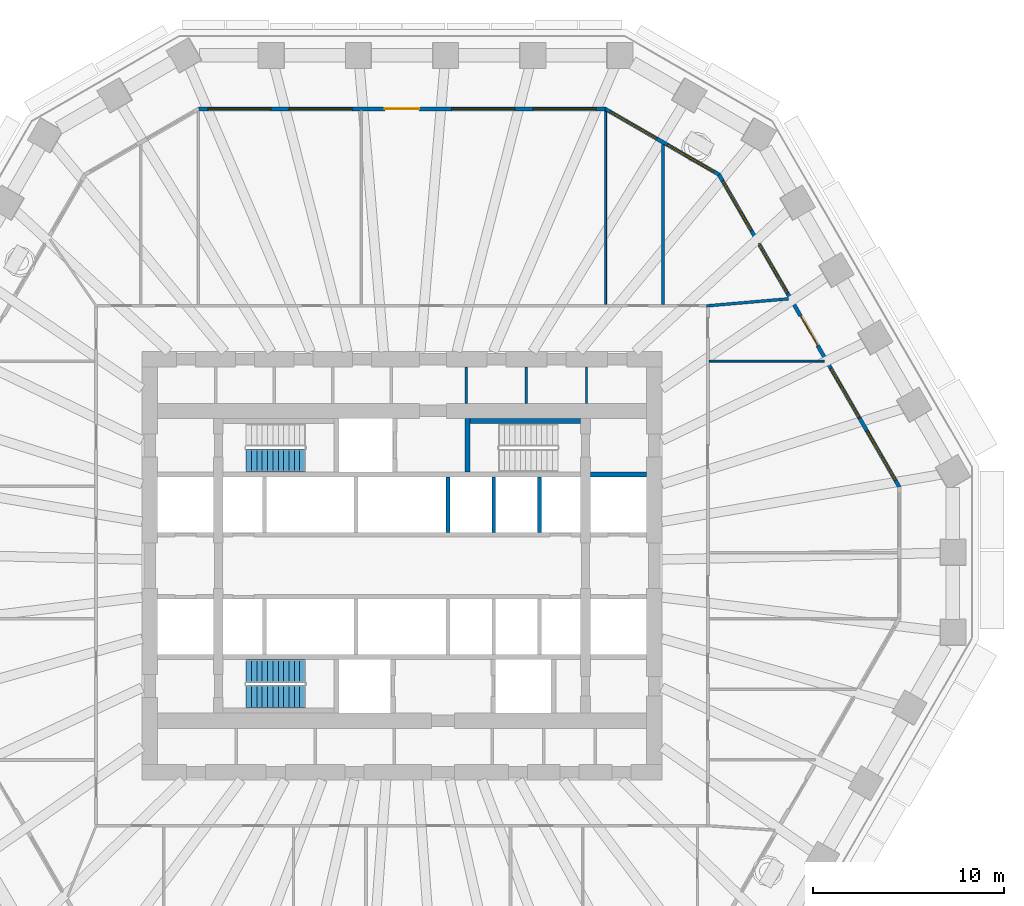
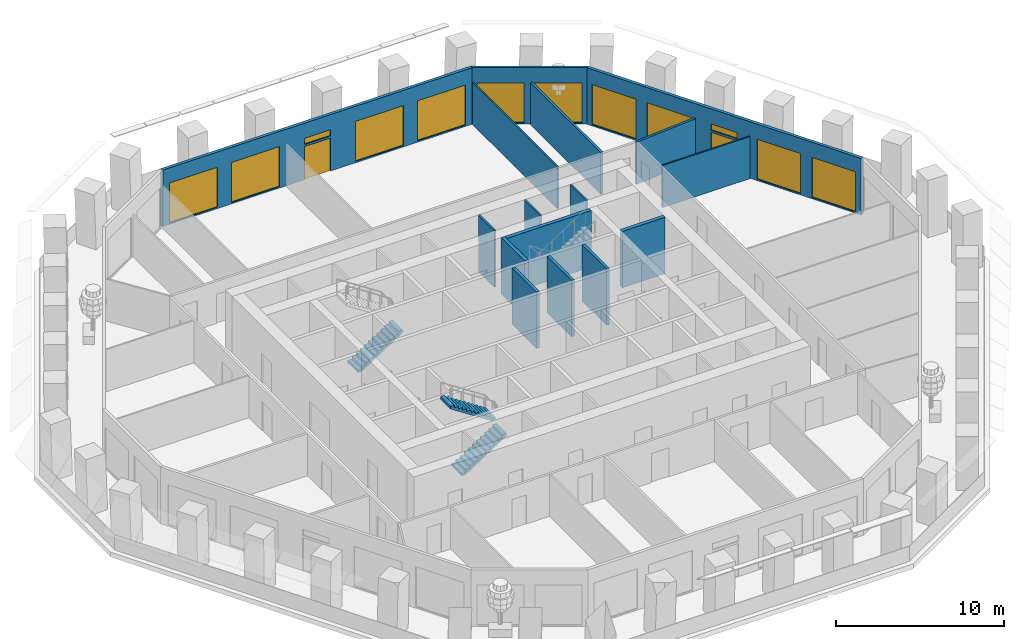
# One storey, part 8 of 13: 16 walls, 12 windows, 3 stair flights, 2 doors, 14 openings, 2 elements without a shape of their own.
"""IFC4 building model written with IfcOpenShell, lengths in metres."""

from ifc_helpers import new_model, si_unit, direction, frame, frame_2d, origin, place, context, subcontext, project, spatial, polyline, rectangle, outline, extrude, material, layer, layer_set, type_object, element, fill, aggregate, save


model = new_model("IFC4")

# Units and contexts
model_context = context("Model", 3, precision=1e-05, world=origin(), true_north=direction((0.0, 1.0)))
body_context = subcontext(model_context, "Body", "Model", "MODEL_VIEW")
ifc_project = project(units=[si_unit("LENGTHUNIT", "METRE"), si_unit("AREAUNIT", "SQUARE_METRE"), si_unit("VOLUMEUNIT", "CUBIC_METRE"), si_unit("PLANEANGLEUNIT", "RADIAN"), si_unit("MASSUNIT", "GRAM", prefix="KILO")], contexts=[model_context])

# Site, building, storey
site_placement = place(None, origin())
site = spatial("IfcSite", under=ifc_project, at=site_placement, CompositionType="ELEMENT")
building_placement = place(site_placement, origin())
building = spatial("IfcBuilding", under=site, at=building_placement, Name="Frailejon Research Tower", CompositionType="ELEMENT")
storey_placement = place(building_placement, frame((0.0, 0.0, 102.800048828125)))
storey = spatial("IfcBuildingStorey", under=building, at=storey_placement, Name="L22", CompositionType="ELEMENT", Elevation=102.800048828125)

# Walls
ifc_material_1 = material(Name="Plasterboard on steel studs", Category="steel")
ifc_layer_1 = layer(ifc_material_1, 0.125)
ifc_layer_set_1 = layer_set([ifc_layer_1], Name="Core partition 125")
wall_type_1 = type_object("IfcWallType", Name="Core partition 125", PredefinedType="PARTITIONING", material=ifc_layer_set_1)
for number, where, z_axis, x_axis, name in (
    (1, (3.362548828125, 8.5, 0.0), (0.0, 0.0, 1.0), (0.0, 1.0, 0.0), "Core partition"),
    (2, (6.50830078125, 8.5, 0.0), (0.0, 0.0, 1.0), (0.0, 1.0, 0.0), "Core partition"),
    (3, (9.654296875, 8.5, 0.0), (0.0, 0.0, 1.0), (0.0, 1.0, 0.0), "Core partition"),
):
    element("IfcWall", number, at=place(storey_placement, frame(where, z_axis=z_axis, x_axis=x_axis)), inside=storey, type_object=wall_type_1, Name=name, PredefinedType="PARTITIONING", context=body_context, shape_type="SweptSolid", body=[
        extrude(rectangle(XDim=1.89990234375, YDim=0.125, at=frame_2d((0.949951171875, 0.0))), origin(), (0.0, 0.0, 1.0), 4.099853515625),
    ])
ifc_material_2 = material(Name="Gypsum board and masonry partition", Category="masonry")
ifc_layer_2 = layer(ifc_material_2, 0.14990234375)
ifc_layer_set_2 = layer_set([ifc_layer_2], Name="Laboratory partition, blockwork 150")
wall_type_2 = type_object("IfcWallType", Name="Laboratory partition, blockwork 150", PredefinedType="PARTITIONING", material=ifc_layer_set_2)
wall_1_placement = place(storey_placement, frame((15.92529296875, 13.593505859375, 0.0), z_axis=(0.0, 0.0, 1.0), x_axis=(0.996283839141, 0.0861307835, 0.0)))
element("IfcWall", 4, at=wall_1_placement, inside=storey, type_object=wall_type_2, Name="T:IW:L22:005", PredefinedType="PARTITIONING", context=body_context, shape_type="SweptSolid", body=[
    extrude(rectangle(XDim=4.30859375, YDim=0.14990234375, at=frame_2d((2.154296875, 0.0))), origin(), (0.0, 0.0, 1.0), 3.050048828125),
])
wall_2_placement = place(storey_placement, frame((13.65478515625, 13.675048828125, 0.0), z_axis=(0.0, 0.0, 1.0), x_axis=(0.0, 1.0, 0.0)))
element("IfcWall", 5, at=wall_2_placement, inside=storey, type_object=wall_type_2, Name="T:IW:L22:006", PredefinedType="PARTITIONING", context=body_context, shape_type="SweptSolid", body=[
    extrude(rectangle(XDim=8.362060546875, YDim=0.14990234375, at=frame_2d((4.18115234375, 0.0))), origin(), (0.0, 0.0, 1.0), 3.050048828125),
])
ifc_material_3 = material(Name="Gypsum board and masonry partition", Category="masonry")
ifc_layer_3 = layer(ifc_material_3, 0.10009765625)
ifc_layer_set_3 = layer_set([ifc_layer_3], Name="Partition, gypsum on steel studs 100")
wall_type_3 = type_object("IfcWallType", Name="Partition, gypsum on steel studs 100", PredefinedType="PARTITIONING", material=ifc_layer_set_3)
wall_3_placement = place(storey_placement, frame((16.074951171875, 10.70751953125, 0.0), z_axis=(0.0, 0.0, 1.0), x_axis=(1.0, 0.0, 0.0)))
element("IfcWall", 6, at=wall_3_placement, inside=storey, type_object=wall_type_3, Name="T:IW:L22:012", PredefinedType="PARTITIONING", context=body_context, shape_type="SweptSolid", body=[
    extrude(rectangle(XDim=6.023193359375, YDim=0.10009765625, at=frame_2d((3.01171875, 0.0))), origin(), (0.0, 0.0, 1.0), 3.050048828125),
])
wall_4_placement = place(storey_placement, frame((10.65478515625, 13.675048828125, 0.0), z_axis=(0.0, 0.0, 1.0), x_axis=(0.0, 1.0, 0.0)))
element("IfcWall", 7, at=wall_4_placement, inside=storey, type_object=wall_type_3, Name="T:IW:L22:014", PredefinedType="PARTITIONING", context=body_context, shape_type="SweptSolid", body=[
    extrude(rectangle(XDim=10.093994140625, YDim=0.10009765625, at=frame_2d((5.046875, 0.0))), origin(), (0.0, 0.0, 1.0), 3.050048828125),
])
ifc_material_4 = material(Name="Concrete C70/85", Category="concrete")
ifc_layer_4 = layer(ifc_material_4, 0.199951171875)
ifc_layer_set_4 = layer_set([ifc_layer_4], Name="Shaft wall 200 C70/85")
wall_type_4 = type_object("IfcWallType", Name="Shaft wall 200 C70/85", PredefinedType="SOLIDWALL", material=ifc_layer_set_4)
for number, where, z_axis, x_axis, name in (
    (8, (2.39990234375, 1.75, 0.0), (0.0, 0.0, 1.0), (0.0, 1.0, 0.0), "Shaft wall"),
    (9, (4.800048828125, 1.75, 0.0), (0.0, 0.0, 1.0), (0.0, 1.0, 0.0), "Shaft wall"),
    (10, (7.199951171875, 1.75, 0.0), (0.0, 0.0, 1.0), (0.0, 1.0, 0.0), "Shaft wall"),
):
    element("IfcWall", number, at=place(storey_placement, frame(where, z_axis=z_axis, x_axis=x_axis)), inside=storey, type_object=wall_type_4, Name=name, PredefinedType="SOLIDWALL", context=body_context, shape_type="SweptSolid", body=[
        extrude(rectangle(XDim=2.89990234375, YDim=0.199951171875, at=frame_2d((1.449951171875, 0.0))), origin(), (0.0, 0.0, 1.0), 4.099853515625),
    ])
ifc_material_5 = material(Name="Concrete C70/85", Category="concrete")
ifc_layer_5 = layer(ifc_material_5, 0.25)
ifc_layer_set_5 = layer_set([ifc_layer_5], Name="Shaft wall 250 C70/85")
wall_type_5 = type_object("IfcWallType", Name="Shaft wall 250 C70/85", PredefinedType="SOLIDWALL", material=ifc_layer_set_5)
wall_5_placement = place(storey_placement, frame((9.85009765625, 4.77490234375, 0.0), z_axis=(0.0, 0.0, 1.0), x_axis=(1.0, 0.0, 0.0)))
element("IfcWall", 11, at=wall_5_placement, inside=storey, type_object=wall_type_5, Name="Shaft wall", PredefinedType="SOLIDWALL", context=body_context, shape_type="SweptSolid", body=[
    extrude(rectangle(XDim=2.949951171875, YDim=0.25, at=frame_2d((1.47509765625, 0.0))), origin(), (0.0, 0.0, 1.0), 4.099853515625),
])
wall_6_placement = place(storey_placement, frame((3.550048828125, 7.574951171875, 0.0), z_axis=(0.0, 0.0, 1.0), x_axis=(1.0, 0.0, 0.0)))
element("IfcWall", 12, at=wall_6_placement, inside=storey, type_object=wall_type_5, Name="Shaft wall", PredefinedType="SOLIDWALL", context=body_context, shape_type="SweptSolid", body=[
    extrude(rectangle(XDim=5.800048828125, YDim=0.25, at=frame_2d((2.89990234375, 0.0))), origin(), (0.0, 0.0, 1.0), 4.099853515625),
])
wall_7_placement = place(storey_placement, frame((3.425048828125, 4.89990234375, 0.0), z_axis=(0.0, 0.0, 1.0), x_axis=(0.0, 1.0, 0.0)))
element("IfcWall", 13, at=wall_7_placement, inside=storey, type_object=wall_type_5, Name="Shaft wall", PredefinedType="SOLIDWALL", context=body_context, shape_type="SweptSolid", body=[
    extrude(rectangle(XDim=2.800048828125, YDim=0.25, at=frame_2d((1.39990234375, 0.0))), origin(), (0.0, 0.0, 1.0), 4.099853515625),
])

# Wall, openings, door, windows
ifc_material_6 = material(Name="Concrete C40/50 precast window wall panel", Category="concrete")
ifc_layer_6 = layer(ifc_material_6, 0.199951171875)
ifc_layer_set_6 = layer_set([ifc_layer_6], Name="Window wall 200")
wall_type_6 = type_object("IfcWallType", Name="Window wall 200", PredefinedType="SOLIDWALL", material=ifc_layer_set_6)
wall_8_placement = place(storey_placement, frame((26.011962890625, 4.128662109375, 0.0), z_axis=(0.0, 0.0, 1.0), x_axis=(-0.499999588275, 0.866025641494, 0.0)))
wall_8 = element("IfcWall", 14, at=wall_8_placement, inside=storey, type_object=wall_type_6, Name="Exterior wall L22", PredefinedType="SOLIDWALL", context=body_context, shape_type="SweptSolid", body=[
    extrude(outline(polyline([(-0.02685546875, -0.10009765625), (1.02392578125, -0.10009765625), (2.07470703125, -0.10009765625), (3.12548828125, -0.10009765625), (4.17626953125, -0.10009765625), (5.227294921875, -0.10009765625), (6.278076171875, -0.10009765625), (7.328857421875, -0.10009765625), (8.379638671875, -0.10009765625), (9.430419921875, -0.10009765625), (10.481201171875, -0.10009765625), (11.531982421875, -0.10009765625), (12.582763671875, -0.10009765625), (13.633544921875, -0.10009765625), (14.6845703125, -0.10009765625), (15.7353515625, -0.10009765625), (16.7861328125, -0.10009765625), (17.8369140625, -0.10009765625), (18.8876953125, -0.10009765625), (18.833984375, 0.10009765625), (17.7890625, 0.10009765625), (16.744384765625, 0.10009765625), (15.699462890625, 0.10009765625), (14.654541015625, 0.10009765625), (13.60986328125, 0.10009765625), (12.56494140625, 0.10009765625), (11.52001953125, 0.10009765625), (10.475341796875, 0.10009765625), (9.430419921875, 0.10009765625), (8.385498046875, 0.10009765625), (7.3408203125, 0.10009765625), (6.2958984375, 0.10009765625), (5.2509765625, 0.10009765625), (4.206298828125, 0.10009765625), (3.161376953125, 0.10009765625), (2.116455078125, 0.10009765625), (1.07177734375, 0.10009765625), (0.02685546875, 0.10009765625), (-0.02685546875, -0.10009765625)])), origin(), (0.0, 0.0, 1.0), 4.099853515625),
])
opening_1_placement = place(wall_8_placement, frame((0.385986328125, 0.0, 0.10009765625)))
opening_1 = element("IfcOpeningElement", 15, at=opening_1_placement, cuts=wall_8, Name="Opening W4", PredefinedType="OPENING", context=body_context, shape_type="SweptSolid", body=[
    extrude(rectangle(XDim=3.0, YDim=2.89990234375, at=frame_2d((1.5, 1.449951171875))), frame((0.0, 0.10986328125, 0.0), z_axis=(0.0, -1.0, 0.0), x_axis=(1.0, 0.0, 0.0)), (0.0, 0.0, 1.0), 0.219970703125),
])
opening_2_placement = place(wall_8_placement, frame((4.158203125, 0.0, 0.10009765625)))
opening_2 = element("IfcOpeningElement", 16, at=opening_2_placement, cuts=wall_8, Name="Opening W4", PredefinedType="OPENING", context=body_context, shape_type="SweptSolid", body=[
    extrude(rectangle(XDim=3.0, YDim=2.89990234375, at=frame_2d((1.5, 1.449951171875))), frame((0.0, 0.10986328125, 0.0), z_axis=(0.0, -1.0, 0.0), x_axis=(1.0, 0.0, 0.0)), (0.0, 0.0, 1.0), 0.219970703125),
])
opening_3_placement = place(wall_8_placement, frame((8.530517578125, 0.0, 0.0)))
opening_3 = element("IfcOpeningElement", 17, at=opening_3_placement, cuts=wall_8, Name="Opening LG22-1", PredefinedType="OPENING", context=body_context, shape_type="SweptSolid", body=[
    extrude(rectangle(XDim=1.800048828125, YDim=2.39990234375, at=frame_2d((0.89990234375, 1.199951171875))), frame((0.0, 0.10986328125, 0.0), z_axis=(0.0, -1.0, 0.0), x_axis=(1.0, 0.0, 0.0)), (0.0, 0.0, 1.0), 0.219970703125),
])
opening_4_placement = place(wall_8_placement, frame((8.530517578125, 0.0, 2.550048828125)))
opening_4 = element("IfcOpeningElement", 18, at=opening_4_placement, cuts=wall_8, Name="Opening W1", PredefinedType="OPENING", context=body_context, shape_type="SweptSolid", body=[
    extrude(rectangle(XDim=1.800048828125, YDim=0.449951171875, at=frame_2d((0.89990234375, 0.22509765625))), frame((0.0, 0.10986328125, 0.0), z_axis=(0.0, -1.0, 0.0), x_axis=(1.0, 0.0, 0.0)), (0.0, 0.0, 1.0), 0.219970703125),
])
opening_5_placement = place(wall_8_placement, frame((11.70263671875, 0.0, 0.10009765625)))
opening_5 = element("IfcOpeningElement", 19, at=opening_5_placement, cuts=wall_8, Name="Opening W4", PredefinedType="OPENING", context=body_context, shape_type="SweptSolid", body=[
    extrude(rectangle(XDim=3.0, YDim=2.89990234375, at=frame_2d((1.5, 1.449951171875))), frame((0.0, 0.10986328125, 0.0), z_axis=(0.0, -1.0, 0.0), x_axis=(1.0, 0.0, 0.0)), (0.0, 0.0, 1.0), 0.219970703125),
])
opening_6_placement = place(wall_8_placement, frame((15.474853515625, 0.0, 0.10009765625)))
opening_6 = element("IfcOpeningElement", 20, at=opening_6_placement, cuts=wall_8, Name="Opening W4", PredefinedType="OPENING", context=body_context, shape_type="SweptSolid", body=[
    extrude(rectangle(XDim=3.0, YDim=2.89990234375, at=frame_2d((1.5, 1.449951171875))), frame((0.0, 0.10986328125, 0.0), z_axis=(0.0, -1.0, 0.0), x_axis=(1.0, 0.0, 0.0)), (0.0, 0.0, 1.0), 0.219970703125),
])
ifc_material_7 = material(Name="Aluminium framed glazed door leaf", Category="aluminium")
door_type = type_object("IfcDoorType", Name="Loggia door 1800x2400", OperationType="DOUBLE_DOOR_SINGLE_SWING", PredefinedType="DOOR", material=ifc_material_7)
door_1_placement = place(opening_3_placement, origin())
door_1 = element("IfcDoor", 21, at=door_1_placement, inside=storey, type_object=door_type, Name="Door LG22-1", OperationType="DOUBLE_DOOR_SINGLE_SWING", OverallHeight=2.39990234375, OverallWidth=1.800048828125, PredefinedType="DOOR", context=body_context, shape_type="SweptSolid", body=[
    extrude(rectangle(XDim=1.800048828125, YDim=2.39990234375, at=frame_2d((0.89990234375, 1.199951171875))), frame((0.0, 0.02490234375, 0.0), z_axis=(0.0, -1.0, 0.0), x_axis=(1.0, 0.0, 0.0)), (0.0, 0.0, 1.0), 0.050048828125),
])
fill(opening_3, door_1)
ifc_material_8 = material(Name="Aluminium framed double glazing", Category="aluminium")
window_type_1 = type_object("IfcWindowType", Name="Window 1800x450", PartitioningType="SINGLE_PANEL", PredefinedType="WINDOW", material=ifc_material_8)
window_1_placement = place(opening_4_placement, origin())
window_1 = element("IfcWindow", 22, at=window_1_placement, inside=storey, type_object=window_type_1, Name="Window L22", OverallHeight=0.449951171875, OverallWidth=1.800048828125, PartitioningType="SINGLE_PANEL", PredefinedType="WINDOW", context=body_context, shape_type="SweptSolid", body=[
    extrude(rectangle(XDim=1.800048828125, YDim=0.449951171875, at=frame_2d((0.89990234375, 0.22509765625))), frame((0.0, 0.030029296875, 0.0), z_axis=(0.0, -1.0, 0.0), x_axis=(1.0, 0.0, 0.0)), (0.0, 0.0, 1.0), 0.06005859375),
])
fill(opening_4, window_1)
ifc_material_9 = material(Name="Aluminium framed double glazing", Category="aluminium")
window_type_2 = type_object("IfcWindowType", Name="Window 3000x2900", PartitioningType="SINGLE_PANEL", PredefinedType="WINDOW", material=ifc_material_9)
window_2_placement = place(opening_1_placement, origin())
window_2 = element("IfcWindow", 23, at=window_2_placement, inside=storey, type_object=window_type_2, Name="Window L22", OverallHeight=2.89990234375, OverallWidth=3.0, PartitioningType="SINGLE_PANEL", PredefinedType="WINDOW", context=body_context, shape_type="SweptSolid", body=[
    extrude(rectangle(XDim=3.0, YDim=2.89990234375, at=frame_2d((1.5, 1.449951171875))), frame((0.0, 0.030029296875, 0.0), z_axis=(0.0, -1.0, 0.0), x_axis=(1.0, 0.0, 0.0)), (0.0, 0.0, 1.0), 0.06005859375),
])
fill(opening_1, window_2)
window_3_placement = place(opening_2_placement, origin())
window_3 = element("IfcWindow", 24, at=window_3_placement, inside=storey, type_object=window_type_2, Name="Window L22", OverallHeight=2.89990234375, OverallWidth=3.0, PartitioningType="SINGLE_PANEL", PredefinedType="WINDOW", context=body_context, shape_type="SweptSolid", body=[
    extrude(rectangle(XDim=3.0, YDim=2.89990234375, at=frame_2d((1.5, 1.449951171875))), frame((0.0, 0.030029296875, 0.0), z_axis=(0.0, -1.0, 0.0), x_axis=(1.0, 0.0, 0.0)), (0.0, 0.0, 1.0), 0.06005859375),
])
fill(opening_2, window_3)
window_4_placement = place(opening_5_placement, origin())
window_4 = element("IfcWindow", 25, at=window_4_placement, inside=storey, type_object=window_type_2, Name="Window L22", OverallHeight=2.89990234375, OverallWidth=3.0, PartitioningType="SINGLE_PANEL", PredefinedType="WINDOW", context=body_context, shape_type="SweptSolid", body=[
    extrude(rectangle(XDim=3.0, YDim=2.89990234375, at=frame_2d((1.5, 1.449951171875))), frame((0.0, 0.030029296875, 0.0), z_axis=(0.0, -1.0, 0.0), x_axis=(1.0, 0.0, 0.0)), (0.0, 0.0, 1.0), 0.06005859375),
])
fill(opening_5, window_4)
window_5_placement = place(opening_6_placement, origin())
window_5 = element("IfcWindow", 26, at=window_5_placement, inside=storey, type_object=window_type_2, Name="Window L22", OverallHeight=2.89990234375, OverallWidth=3.0, PartitioningType="SINGLE_PANEL", PredefinedType="WINDOW", context=body_context, shape_type="SweptSolid", body=[
    extrude(rectangle(XDim=3.0, YDim=2.89990234375, at=frame_2d((1.5, 1.449951171875))), frame((0.0, 0.030029296875, 0.0), z_axis=(0.0, -1.0, 0.0), x_axis=(1.0, 0.0, 0.0)), (0.0, 0.0, 1.0), 0.06005859375),
])
fill(opening_6, window_5)

# Wall, openings, windows
wall_9_placement = place(storey_placement, frame((16.58154296875, 20.462646484375, 0.0), z_axis=(0.0, 0.0, 1.0), x_axis=(-0.866029458321, 0.49999297727, 0.0)))
wall_9 = element("IfcWall", 27, at=wall_9_placement, inside=storey, type_object=wall_type_6, Name="Exterior wall L22", PredefinedType="SOLIDWALL", context=body_context, shape_type="SweptSolid", body=[
    extrude(outline(polyline([(-0.02685546875, -0.10009765625), (1.1279296875, -0.10009765625), (2.282470703125, -0.10009765625), (3.437255859375, -0.10009765625), (4.592041015625, -0.10009765625), (5.74658203125, -0.10009765625), (6.9013671875, -0.10009765625), (6.84765625, 0.10009765625), (5.7109375, 0.10009765625), (4.573974609375, 0.10009765625), (3.437255859375, 0.10009765625), (2.300537109375, 0.10009765625), (1.16357421875, 0.10009765625), (0.02685546875, 0.10009765625), (-0.02685546875, -0.10009765625)])), origin(), (0.0, 0.0, 1.0), 4.099853515625),
])
opening_7_placement = place(wall_9_placement, frame((0.318603515625, 0.0, 0.10009765625)))
opening_7 = element("IfcOpeningElement", 28, at=opening_7_placement, cuts=wall_9, Name="Opening W3", PredefinedType="OPENING", context=body_context, shape_type="SweptSolid", body=[
    extrude(rectangle(XDim=2.800048828125, YDim=2.89990234375, at=frame_2d((1.39990234375, 1.449951171875))), frame((0.0, 0.10986328125, 0.0), z_axis=(0.0, -1.0, 0.0), x_axis=(1.0, 0.0, 0.0)), (0.0, 0.0, 1.0), 0.219970703125),
])
opening_8_placement = place(wall_9_placement, frame((3.756103515625, 0.0, 0.10009765625)))
opening_8 = element("IfcOpeningElement", 29, at=opening_8_placement, cuts=wall_9, Name="Opening W3", PredefinedType="OPENING", context=body_context, shape_type="SweptSolid", body=[
    extrude(rectangle(XDim=2.800048828125, YDim=2.89990234375, at=frame_2d((1.39990234375, 1.449951171875))), frame((0.0, 0.10986328125, 0.0), z_axis=(0.0, -1.0, 0.0), x_axis=(1.0, 0.0, 0.0)), (0.0, 0.0, 1.0), 0.219970703125),
])
ifc_material_10 = material(Name="Aluminium framed double glazing", Category="aluminium")
window_type_3 = type_object("IfcWindowType", Name="Window 2800x2900", PartitioningType="SINGLE_PANEL", PredefinedType="WINDOW", material=ifc_material_10)
window_6_placement = place(opening_7_placement, origin())
window_6 = element("IfcWindow", 30, at=window_6_placement, inside=storey, type_object=window_type_3, Name="Window L22", OverallHeight=2.89990234375, OverallWidth=2.800048828125, PartitioningType="SINGLE_PANEL", PredefinedType="WINDOW", context=body_context, shape_type="SweptSolid", body=[
    extrude(rectangle(XDim=2.800048828125, YDim=2.89990234375, at=frame_2d((1.39990234375, 1.449951171875))), frame((0.0, 0.030029296875, 0.0), z_axis=(0.0, -1.0, 0.0), x_axis=(1.0, 0.0, 0.0)), (0.0, 0.0, 1.0), 0.06005859375),
])
fill(opening_7, window_6)
window_7_placement = place(opening_8_placement, origin())
window_7 = element("IfcWindow", 31, at=window_7_placement, inside=storey, type_object=window_type_3, Name="Window L22", OverallHeight=2.89990234375, OverallWidth=2.800048828125, PartitioningType="SINGLE_PANEL", PredefinedType="WINDOW", context=body_context, shape_type="SweptSolid", body=[
    extrude(rectangle(XDim=2.800048828125, YDim=2.89990234375, at=frame_2d((1.39990234375, 1.449951171875))), frame((0.0, 0.030029296875, 0.0), z_axis=(0.0, -1.0, 0.0), x_axis=(1.0, 0.0, 0.0)), (0.0, 0.0, 1.0), 0.06005859375),
])
fill(opening_8, window_7)

# Wall, openings, door, windows
wall_10_placement = place(storey_placement, frame((10.6279296875, 23.89990234375, 0.0), z_axis=(0.0, 0.0, 1.0), x_axis=(-1.0, 0.0, 0.0)))
wall_10 = element("IfcWall", 32, at=wall_10_placement, inside=storey, type_object=wall_type_6, Name="Exterior wall L22", PredefinedType="SOLIDWALL", context=body_context, shape_type="SweptSolid", body=[
    extrude(outline(polyline([(-0.02685546875, -0.10009765625), (0.98779296875, -0.10009765625), (2.002685546875, -0.10009765625), (3.017333984375, -0.10009765625), (4.0322265625, -0.10009765625), (5.046875, -0.10009765625), (6.0615234375, -0.10009765625), (7.076416015625, -0.10009765625), (8.091064453125, -0.10009765625), (9.105712890625, -0.10009765625), (10.12060546875, -0.10009765625), (11.13525390625, -0.10009765625), (12.150146484375, -0.10009765625), (13.164794921875, -0.10009765625), (14.179443359375, -0.10009765625), (15.1943359375, -0.10009765625), (16.208984375, -0.10009765625), (17.2236328125, -0.10009765625), (18.238525390625, -0.10009765625), (19.253173828125, -0.10009765625), (20.26806640625, -0.10009765625), (21.28271484375, -0.10009765625), (21.22900390625, 0.10009765625), (20.219482421875, 0.10009765625), (19.209716796875, 0.10009765625), (18.2001953125, 0.10009765625), (17.1904296875, 0.10009765625), (16.180908203125, 0.10009765625), (15.171142578125, 0.10009765625), (14.16162109375, 0.10009765625), (13.152099609375, 0.10009765625), (12.142333984375, 0.10009765625), (11.1328125, 0.10009765625), (10.123046875, 0.10009765625), (9.113525390625, 0.10009765625), (8.103759765625, 0.10009765625), (7.09423828125, 0.10009765625), (6.084716796875, 0.10009765625), (5.074951171875, 0.10009765625), (4.0654296875, 0.10009765625), (3.0556640625, 0.10009765625), (2.046142578125, 0.10009765625), (1.036376953125, 0.10009765625), (0.02685546875, 0.10009765625), (-0.02685546875, -0.10009765625)])), origin(), (0.0, 0.0, 1.0), 4.099853515625),
])
opening_9_placement = place(wall_10_placement, frame((0.4755859375, 0.0, 0.10009765625)))
opening_9 = element("IfcOpeningElement", 33, at=opening_9_placement, cuts=wall_10, Name="Opening W5", PredefinedType="OPENING", context=body_context, shape_type="SweptSolid", body=[
    extrude(rectangle(XDim=3.300048828125, YDim=2.89990234375, at=frame_2d((1.64990234375, 1.449951171875))), frame((0.0, 0.10986328125, 0.0), z_axis=(0.0, -1.0, 0.0), x_axis=(1.0, 0.0, 0.0)), (0.0, 0.0, 1.0), 0.219970703125),
])
opening_10_placement = place(wall_10_placement, frame((4.726806640625, 0.0, 0.10009765625)))
opening_10 = element("IfcOpeningElement", 34, at=opening_10_placement, cuts=wall_10, Name="Opening W5", PredefinedType="OPENING", context=body_context, shape_type="SweptSolid", body=[
    extrude(rectangle(XDim=3.300048828125, YDim=2.89990234375, at=frame_2d((1.64990234375, 1.449951171875))), frame((0.0, 0.10986328125, 0.0), z_axis=(0.0, -1.0, 0.0), x_axis=(1.0, 0.0, 0.0)), (0.0, 0.0, 1.0), 0.219970703125),
])
opening_11_placement = place(wall_10_placement, frame((9.727783203125, 0.0, 0.0)))
opening_11 = element("IfcOpeningElement", 35, at=opening_11_placement, cuts=wall_10, Name="Opening LG22-2", PredefinedType="OPENING", context=body_context, shape_type="SweptSolid", body=[
    extrude(rectangle(XDim=1.800048828125, YDim=2.39990234375, at=frame_2d((0.89990234375, 1.199951171875))), frame((0.0, 0.10986328125, 0.0), z_axis=(0.0, -1.0, 0.0), x_axis=(1.0, 0.0, 0.0)), (0.0, 0.0, 1.0), 0.219970703125),
])
opening_12_placement = place(wall_10_placement, frame((9.727783203125, 0.0, 2.550048828125)))
opening_12 = element("IfcOpeningElement", 36, at=opening_12_placement, cuts=wall_10, Name="Opening W1", PredefinedType="OPENING", context=body_context, shape_type="SweptSolid", body=[
    extrude(rectangle(XDim=1.800048828125, YDim=0.449951171875, at=frame_2d((0.89990234375, 0.22509765625))), frame((0.0, 0.10986328125, 0.0), z_axis=(0.0, -1.0, 0.0), x_axis=(1.0, 0.0, 0.0)), (0.0, 0.0, 1.0), 0.219970703125),
])
opening_13_placement = place(wall_10_placement, frame((13.22900390625, 0.0, 0.10009765625)))
opening_13 = element("IfcOpeningElement", 37, at=opening_13_placement, cuts=wall_10, Name="Opening W5", PredefinedType="OPENING", context=body_context, shape_type="SweptSolid", body=[
    extrude(rectangle(XDim=3.300048828125, YDim=2.89990234375, at=frame_2d((1.64990234375, 1.449951171875))), frame((0.0, 0.10986328125, 0.0), z_axis=(0.0, -1.0, 0.0), x_axis=(1.0, 0.0, 0.0)), (0.0, 0.0, 1.0), 0.219970703125),
])
opening_14_placement = place(wall_10_placement, frame((17.480224609375, 0.0, 0.10009765625)))
opening_14 = element("IfcOpeningElement", 38, at=opening_14_placement, cuts=wall_10, Name="Opening W5", PredefinedType="OPENING", context=body_context, shape_type="SweptSolid", body=[
    extrude(rectangle(XDim=3.300048828125, YDim=2.89990234375, at=frame_2d((1.64990234375, 1.449951171875))), frame((0.0, 0.10986328125, 0.0), z_axis=(0.0, -1.0, 0.0), x_axis=(1.0, 0.0, 0.0)), (0.0, 0.0, 1.0), 0.219970703125),
])
door_2_placement = place(opening_11_placement, origin())
door_2 = element("IfcDoor", 39, at=door_2_placement, inside=storey, type_object=door_type, Name="Door LG22-2", OperationType="DOUBLE_DOOR_SINGLE_SWING", OverallHeight=2.39990234375, OverallWidth=1.800048828125, PredefinedType="DOOR", context=body_context, shape_type="SweptSolid", body=[
    extrude(rectangle(XDim=1.800048828125, YDim=2.39990234375, at=frame_2d((0.89990234375, 1.199951171875))), frame((0.0, 0.02490234375, 0.0), z_axis=(0.0, -1.0, 0.0), x_axis=(1.0, 0.0, 0.0)), (0.0, 0.0, 1.0), 0.050048828125),
])
fill(opening_11, door_2)
window_8_placement = place(opening_12_placement, origin())
window_8 = element("IfcWindow", 40, at=window_8_placement, inside=storey, type_object=window_type_1, Name="Window L22", OverallHeight=0.449951171875, OverallWidth=1.800048828125, PartitioningType="SINGLE_PANEL", PredefinedType="WINDOW", context=body_context, shape_type="SweptSolid", body=[
    extrude(rectangle(XDim=1.800048828125, YDim=0.449951171875, at=frame_2d((0.89990234375, 0.22509765625))), frame((0.0, 0.030029296875, 0.0), z_axis=(0.0, -1.0, 0.0), x_axis=(1.0, 0.0, 0.0)), (0.0, 0.0, 1.0), 0.06005859375),
])
fill(opening_12, window_8)
ifc_material_11 = material(Name="Aluminium framed double glazing", Category="aluminium")
window_type_4 = type_object("IfcWindowType", Name="Window 3300x2900", PartitioningType="SINGLE_PANEL", PredefinedType="WINDOW", material=ifc_material_11)
window_9_placement = place(opening_9_placement, origin())
window_9 = element("IfcWindow", 41, at=window_9_placement, inside=storey, type_object=window_type_4, Name="Window L22", OverallHeight=2.89990234375, OverallWidth=3.300048828125, PartitioningType="SINGLE_PANEL", PredefinedType="WINDOW", context=body_context, shape_type="SweptSolid", body=[
    extrude(rectangle(XDim=3.300048828125, YDim=2.89990234375, at=frame_2d((1.64990234375, 1.449951171875))), frame((0.0, 0.030029296875, 0.0), z_axis=(0.0, -1.0, 0.0), x_axis=(1.0, 0.0, 0.0)), (0.0, 0.0, 1.0), 0.06005859375),
])
fill(opening_9, window_9)
window_10_placement = place(opening_10_placement, origin())
window_10 = element("IfcWindow", 42, at=window_10_placement, inside=storey, type_object=window_type_4, Name="Window L22", OverallHeight=2.89990234375, OverallWidth=3.300048828125, PartitioningType="SINGLE_PANEL", PredefinedType="WINDOW", context=body_context, shape_type="SweptSolid", body=[
    extrude(rectangle(XDim=3.300048828125, YDim=2.89990234375, at=frame_2d((1.64990234375, 1.449951171875))), frame((0.0, 0.030029296875, 0.0), z_axis=(0.0, -1.0, 0.0), x_axis=(1.0, 0.0, 0.0)), (0.0, 0.0, 1.0), 0.06005859375),
])
fill(opening_10, window_10)
window_11_placement = place(opening_13_placement, origin())
window_11 = element("IfcWindow", 43, at=window_11_placement, inside=storey, type_object=window_type_4, Name="Window L22", OverallHeight=2.89990234375, OverallWidth=3.300048828125, PartitioningType="SINGLE_PANEL", PredefinedType="WINDOW", context=body_context, shape_type="SweptSolid", body=[
    extrude(rectangle(XDim=3.300048828125, YDim=2.89990234375, at=frame_2d((1.64990234375, 1.449951171875))), frame((0.0, 0.030029296875, 0.0), z_axis=(0.0, -1.0, 0.0), x_axis=(1.0, 0.0, 0.0)), (0.0, 0.0, 1.0), 0.06005859375),
])
fill(opening_13, window_11)
window_12_placement = place(opening_14_placement, origin())
window_12 = element("IfcWindow", 44, at=window_12_placement, inside=storey, type_object=window_type_4, Name="Window L22", OverallHeight=2.89990234375, OverallWidth=3.300048828125, PartitioningType="SINGLE_PANEL", PredefinedType="WINDOW", context=body_context, shape_type="SweptSolid", body=[
    extrude(rectangle(XDim=3.300048828125, YDim=2.89990234375, at=frame_2d((1.64990234375, 1.449951171875))), frame((0.0, 0.030029296875, 0.0), z_axis=(0.0, -1.0, 0.0), x_axis=(1.0, 0.0, 0.0)), (0.0, 0.0, 1.0), 0.06005859375),
])
fill(opening_14, window_12)

# Stair, stair flight
ifc_material_12 = material(Name="Concrete C50/60", Category="concrete")
stair_type = type_object("IfcStairType", Name="Exit stair 24 risers", PredefinedType="HALF_TURN_STAIR", material=ifc_material_12)
stair_1_placement = place(storey_placement, origin())
stair_1 = element("IfcStair", 45, at=stair_1_placement, inside=storey, type_object=stair_type, Name="L22 Exit stair ST1", PredefinedType="HALF_TURN_STAIR")
ifc_material_13 = material(Name="Concrete C50/60", Category="concrete")
ifc_layer_7 = layer(ifc_material_13, 0.14990234375)
ifc_layer_set_7 = layer_set([ifc_layer_7], Name="Stair flight 12 risers")
stair_flight_type = type_object("IfcStairFlightType", Name="Stair flight 12 risers", PredefinedType="STRAIGHT", material=ifc_layer_set_7)
stair_flight_1_placement = place(storey_placement, frame((-8.14990234375, 5.5, 0.0), z_axis=(0.0, 0.0, 1.0), x_axis=(1.0, 0.0, 0.0)))
stair_flight_1 = element("IfcStairFlight", 46, at=stair_flight_1_placement, type_object=stair_flight_type, Name="ST1 flight 1", NumberOfRisers=12, NumberOfTreads=11, PredefinedType="STRAIGHT", RiserHeight=0.183333333, TreadLength=0.28, context=body_context, shape_type="SweptSolid", body=[
    extrude(outline(polyline([(0.0, 0.0), (0.0, 0.183349609375), (0.280029296875, 0.183349609375), (0.280029296875, 0.36669921875), (0.56005859375, 0.36669921875), (0.56005859375, 0.550048828125), (0.840087890625, 0.550048828125), (0.840087890625, 0.7333984375), (1.1201171875, 0.7333984375), (1.1201171875, 0.916748046875), (1.39990234375, 0.916748046875), (1.39990234375, 1.10009765625), (1.679931640625, 1.10009765625), (1.679931640625, 1.283447265625), (1.9599609375, 1.283447265625), (1.9599609375, 1.466552734375), (2.239990234375, 1.466552734375), (2.239990234375, 1.64990234375), (2.52001953125, 1.64990234375), (2.52001953125, 1.833251953125), (2.800048828125, 1.833251953125), (2.800048828125, 2.0166015625), (3.080078125, 2.0166015625), (3.080078125, 2.199951171875), (3.080078125, 1.83740234375), (0.273681640625, 0.0), (0.0, 0.0)])), frame((0.0, 0.60009765625, 0.0), z_axis=(0.0, -1.0, 0.0), x_axis=(1.0, 0.0, 0.0)), (0.0, 0.0, 1.0), 1.199951171875),
])
aggregate(stair_1, [stair_flight_1])

# Stair, stair flights
stair_2_placement = place(storey_placement, origin())
stair_2 = element("IfcStair", 47, at=stair_2_placement, inside=storey, type_object=stair_type, Name="L22 Exit stair ST2", PredefinedType="HALF_TURN_STAIR")
stair_flight_2_placement = place(storey_placement, frame((-8.14990234375, -6.85009765625, 0.0), z_axis=(0.0, 0.0, 1.0), x_axis=(1.0, 0.0, 0.0)))
stair_flight_2 = element("IfcStairFlight", 48, at=stair_flight_2_placement, type_object=stair_flight_type, Name="ST2 flight 1", NumberOfRisers=12, NumberOfTreads=11, PredefinedType="STRAIGHT", RiserHeight=0.183333333, TreadLength=0.28, context=body_context, shape_type="SweptSolid", body=[
    extrude(outline(polyline([(0.0, 0.0), (0.0, 0.183349609375), (0.280029296875, 0.183349609375), (0.280029296875, 0.36669921875), (0.56005859375, 0.36669921875), (0.56005859375, 0.550048828125), (0.840087890625, 0.550048828125), (0.840087890625, 0.7333984375), (1.1201171875, 0.7333984375), (1.1201171875, 0.916748046875), (1.39990234375, 0.916748046875), (1.39990234375, 1.10009765625), (1.679931640625, 1.10009765625), (1.679931640625, 1.283447265625), (1.9599609375, 1.283447265625), (1.9599609375, 1.466552734375), (2.239990234375, 1.466552734375), (2.239990234375, 1.64990234375), (2.52001953125, 1.64990234375), (2.52001953125, 1.833251953125), (2.800048828125, 1.833251953125), (2.800048828125, 2.0166015625), (3.080078125, 2.0166015625), (3.080078125, 2.199951171875), (3.080078125, 1.83740234375), (0.273681640625, 0.0), (0.0, 0.0)])), frame((0.0, 0.60009765625, 0.0), z_axis=(0.0, -1.0, 0.0), x_axis=(1.0, 0.0, 0.0)), (0.0, 0.0, 1.0), 1.199951171875),
])
stair_flight_3_placement = place(storey_placement, frame((-5.070068359375, -5.5, 2.199951171875), z_axis=(0.0, 0.0, 1.0), x_axis=(-1.0, 0.0, 0.0)))
stair_flight_3 = element("IfcStairFlight", 49, at=stair_flight_3_placement, type_object=stair_flight_type, Name="ST2 flight 2", NumberOfRisers=12, NumberOfTreads=11, PredefinedType="STRAIGHT", RiserHeight=0.183333333, TreadLength=0.28, context=body_context, shape_type="SweptSolid", body=[
    extrude(outline(polyline([(0.0, 0.0), (0.0, 0.183349609375), (0.280029296875, 0.183349609375), (0.280029296875, 0.36669921875), (0.56005859375, 0.36669921875), (0.56005859375, 0.550048828125), (0.840087890625, 0.550048828125), (0.840087890625, 0.7333984375), (1.1201171875, 0.7333984375), (1.1201171875, 0.916748046875), (1.39990234375, 0.916748046875), (1.39990234375, 1.10009765625), (1.679931640625, 1.10009765625), (1.679931640625, 1.283447265625), (1.9599609375, 1.283447265625), (1.9599609375, 1.466552734375), (2.239990234375, 1.466552734375), (2.239990234375, 1.64990234375), (2.52001953125, 1.64990234375), (2.52001953125, 1.833251953125), (2.800048828125, 1.833251953125), (2.800048828125, 2.0166015625), (3.080078125, 2.0166015625), (3.080078125, 2.199951171875), (3.080078125, 1.83740234375), (0.273681640625, 0.0), (0.0, 0.0)])), frame((0.0, 0.60009765625, 0.0), z_axis=(0.0, -1.0, 0.0), x_axis=(1.0, 0.0, 0.0)), (0.0, 0.0, 1.0), 1.199951171875),
])
aggregate(stair_2, [stair_flight_2, stair_flight_3])

save(model, "model.ifc")
